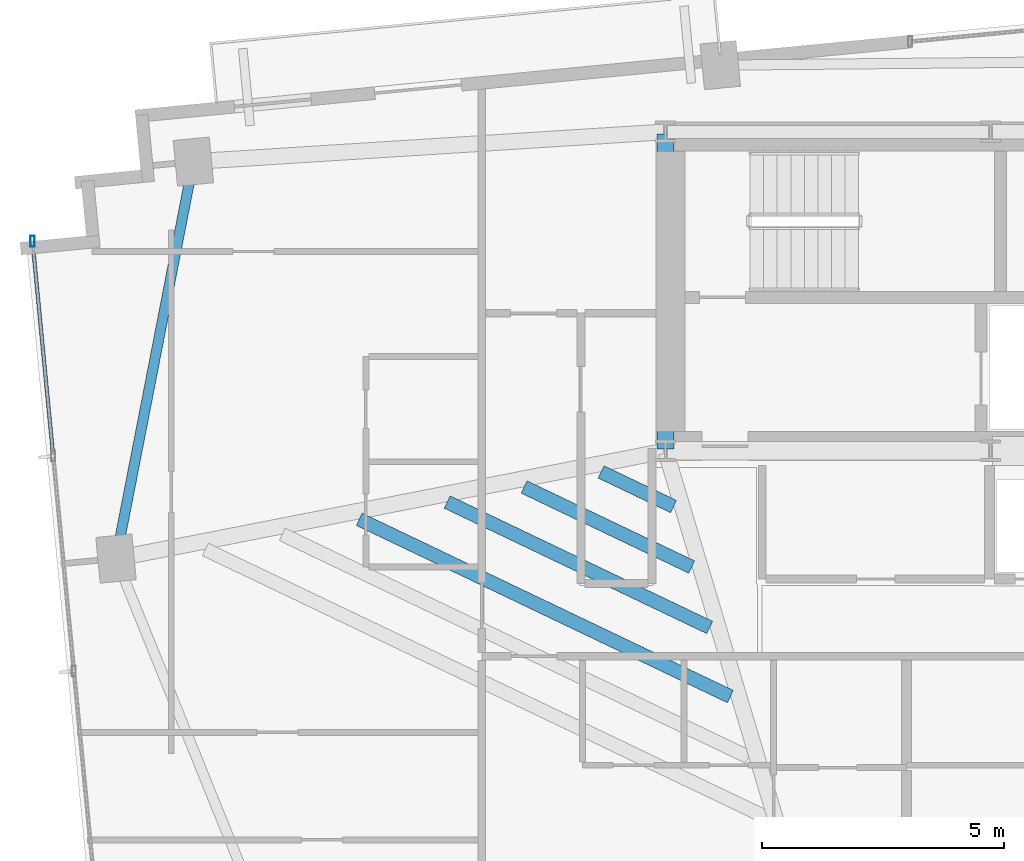
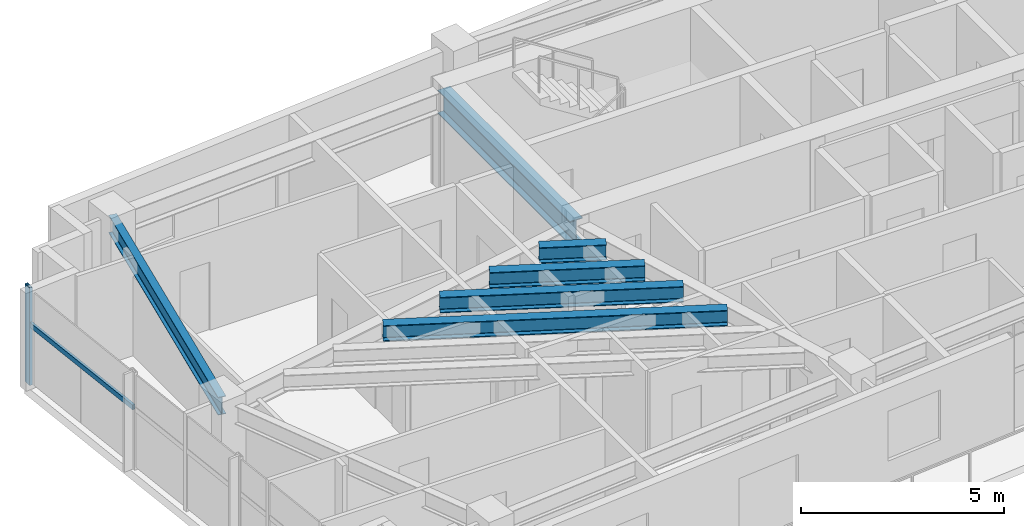
# One storey, part 3 of 18: 6 beams, 2 members, 1 element without a shape of its own.
"""IFC4 building model written with IfcOpenShell, lengths in metres."""

from ifc_helpers import new_model, si_unit, direction, frame, origin, origin_2d, place, context, subcontext, project, spatial, hollow_rectangle, i_section, extrude, source, transform, mapped, material, material_profile, profile_set, type_object, type_shapes, element, aggregate, save


model = new_model("IFC4")

# Units and contexts
model_context = context("Model", 3, precision=1e-05, world=origin(), true_north=direction((0.0, 1.0)))
body_context = subcontext(model_context, "Body", "Model", "MODEL_VIEW")
ifc_project = project(units=[si_unit("LENGTHUNIT", "METRE"), si_unit("AREAUNIT", "SQUARE_METRE"), si_unit("VOLUMEUNIT", "CUBIC_METRE"), si_unit("PLANEANGLEUNIT", "RADIAN"), si_unit("MASSUNIT", "GRAM", prefix="KILO")], contexts=[model_context])

# Site, building, storey
site_placement = place(None, origin())
site = spatial("IfcSite", under=ifc_project, at=site_placement, CompositionType="ELEMENT")
building_placement = place(site_placement, origin())
building = spatial("IfcBuilding", under=site, at=building_placement, Name="Astriad Promenade Condominiums", CompositionType="ELEMENT")
storey_placement = place(building_placement, frame((0.0, 0.0, 176.199951171875)))
storey = spatial("IfcBuildingStorey", under=building, at=storey_placement, Name="L50", CompositionType="ELEMENT", Elevation=176.199951171875)

# Beams
ifc_material_1 = material(Name="Steel ASTM A992 Grade 50", Category="steel")
ifc_material_profile_1 = material_profile(ifc_material_1, i_section(OverallWidth=0.35791015625, OverallDepth=0.706298828125, WebThickness=0.018310546875, FlangeThickness=0.0302734375, FilletRadius=0.020263671875, at=origin_2d()), Name="W27X178")
ifc_profile_set_1 = profile_set([ifc_material_profile_1], Name="Steel ASTM A992 Grade 50")
beam_type_1 = type_object("IfcBeamType", Name="STEEL FLOOR GIRDER W27X178", PredefinedType="BEAM", material=ifc_profile_set_1)
shared_shape_1 = source(origin(), body_context, "Body", "SweptSolid", [
    extrude(i_section(OverallWidth=0.35791015625, OverallDepth=0.706298828125, WebThickness=0.018310546875, FlangeThickness=0.0302734375, FilletRadius=0.020263671875, at=origin_2d()), origin(), (0.0, 0.0, 1.0), 6.52001953125),
])
type_shapes(beam_type_1, [shared_shape_1])
beam_1_placement = place(storey_placement, frame((26.39990234375, 17.43994140625, 2.5869140625), z_axis=(0.0, 1.0, 0.0), x_axis=(-1.0, 0.0, 0.0)))
element("IfcBeam", 1, at=beam_1_placement, inside=storey, type_object=beam_type_1, Name="Core Ring Beam CG-W1-L50", PredefinedType="BEAM", context=body_context, shape_type="MappedRepresentation", body=[
    mapped(shared_shape_1, transform((0.0, 0.0, 0.0), scale=1.0)),
])
ifc_material_profile_2 = material_profile(ifc_material_1, i_section(OverallWidth=0.210693359375, OverallDepth=0.53955078125, WebThickness=0.01171875, FlangeThickness=0.018798828125, FilletRadius=0.0166015625, at=origin_2d()), Name="W21X73")
ifc_profile_set_2 = profile_set([ifc_material_profile_2], Name="Steel ASTM A992 Grade 50")
beam_type_2 = type_object("IfcBeamType", Name="STEEL SPANDREL BEAM W21X73", PredefinedType="SPANDREL", material=ifc_profile_set_2)
shared_shape_2 = source(origin(), body_context, "Body", "SweptSolid", [
    extrude(i_section(OverallWidth=0.210693359375, OverallDepth=0.53955078125, WebThickness=0.01171875, FlangeThickness=0.018798828125, FilletRadius=0.0166015625, at=origin_2d()), origin(), (0.0, 0.0, 1.0), 8.28564453125),
])
type_shapes(beam_type_2, [shared_shape_2])
beam_2_placement = place(storey_placement, frame((16.62451171875, 23.3447265625, 2.670166015625), z_axis=(-0.191291582099, -0.981533254973, 0.0), x_axis=(0.981533254973, -0.191291582099, 0.0)))
element("IfcBeam", 2, at=beam_2_placement, inside=storey, type_object=beam_type_2, Name="Perimeter Spandrel Beam SP-W2-L50", PredefinedType="SPANDREL", context=body_context, shape_type="MappedRepresentation", body=[
    mapped(shared_shape_2, transform((0.0, 0.0, 0.0), scale=1.0)),
])
ifc_material_profile_3 = material_profile(ifc_material_1, i_section(OverallWidth=0.283203125, OverallDepth=0.47216796875, WebThickness=0.013671875, FlangeThickness=0.022216796875, FilletRadius=0.01513671875, at=origin_2d()), Name="W18X97")
ifc_profile_set_3 = profile_set([ifc_material_profile_3], Name="Steel ASTM A992 Grade 50")
beam_type_3 = type_object("IfcBeamType", Name="STEEL FLOOR JOIST W18X97", PredefinedType="JOIST", material=ifc_profile_set_3)
shared_shape_3 = source(origin(), body_context, "Body", "SweptSolid", [
    extrude(i_section(OverallWidth=0.283203125, OverallDepth=0.47216796875, WebThickness=0.013671875, FlangeThickness=0.022216796875, FilletRadius=0.01513671875, at=origin_2d()), origin(), (0.0, 0.0, 1.0), 8.508056640625),
])
beam_3_placement = place(storey_placement, frame((20.06298828125, 15.985595703125, 2.703857421875), z_axis=(0.902339530667, -0.431025952113, 0.0), x_axis=(0.431025952113, 0.902339530667, 0.0)))
element("IfcBeam", 3, at=beam_3_placement, inside=storey, type_object=beam_type_3, Name="Secondary Composite Floor Joist JW1-3-L50", PredefinedType="JOIST", context=body_context, shape_type="MappedRepresentation", body=[
    mapped(shared_shape_3, transform((0.0, 0.0, 0.0), scale=1.0)),
])
shared_shape_4 = source(origin(), body_context, "Body", "SweptSolid", [
    extrude(i_section(OverallWidth=0.283203125, OverallDepth=0.47216796875, WebThickness=0.013671875, FlangeThickness=0.022216796875, FilletRadius=0.01513671875, at=origin_2d()), origin(), (0.0, 0.0, 1.0), 6.01904296875),
])
beam_4_placement = place(storey_placement, frame((21.882080078125, 16.342041015625, 2.703857421875), z_axis=(0.902329759838, -0.431046406446, 0.0), x_axis=(0.431046406446, 0.902329759838, 0.0)))
element("IfcBeam", 4, at=beam_4_placement, inside=storey, type_object=beam_type_3, Name="Secondary Composite Floor Joist JW1-4-L50", PredefinedType="JOIST", context=body_context, shape_type="MappedRepresentation", body=[
    mapped(shared_shape_4, transform((0.0, 0.0, 0.0), scale=1.0)),
])
shared_shape_5 = source(origin(), body_context, "Body", "SweptSolid", [
    extrude(i_section(OverallWidth=0.283203125, OverallDepth=0.47216796875, WebThickness=0.013671875, FlangeThickness=0.022216796875, FilletRadius=0.01513671875, at=origin_2d()), origin(), (0.0, 0.0, 1.0), 3.84130859375),
])
beam_5_placement = place(storey_placement, frame((23.473388671875, 16.65380859375, 2.703857421875), z_axis=(0.902328811953, -0.431048390693, 0.0), x_axis=(0.431048390693, 0.902328811953, 0.0)))
element("IfcBeam", 5, at=beam_5_placement, inside=storey, type_object=beam_type_3, Name="Secondary Composite Floor Joist JW1-5-L50", PredefinedType="JOIST", context=body_context, shape_type="MappedRepresentation", body=[
    mapped(shared_shape_5, transform((0.0, 0.0, 0.0), scale=1.0)),
])
shared_shape_6 = source(origin(), body_context, "Body", "SweptSolid", [
    extrude(i_section(OverallWidth=0.283203125, OverallDepth=0.47216796875, WebThickness=0.013671875, FlangeThickness=0.022216796875, FilletRadius=0.01513671875, at=origin_2d()), origin(), (0.0, 0.0, 1.0), 1.6630859375),
])
type_shapes(beam_type_3, [shared_shape_3, shared_shape_4, shared_shape_5, shared_shape_6])
beam_6_placement = place(storey_placement, frame((25.065185546875, 16.965576171875, 2.703857421875), z_axis=(0.902355200591, -0.430993146077, 0.0), x_axis=(0.430993146077, 0.902355200591, 0.0)))
element("IfcBeam", 6, at=beam_6_placement, inside=storey, type_object=beam_type_3, Name="Secondary Composite Floor Joist JW1-6-L50", PredefinedType="JOIST", context=body_context, shape_type="MappedRepresentation", body=[
    mapped(shared_shape_6, transform((0.0, 0.0, 0.0), scale=1.0)),
])

# Curtain wall, members
ifc_material_2 = material(Name="Anodised aluminium Black Dark Glass Unitised", Category="aluminium")
curtain_wall_type = type_object("IfcCurtainWallType", Name="CW-B34-DARK", PredefinedType="USERDEFINED", material=ifc_material_2)
curtain_wall_placement = place(storey_placement, origin())
curtain_wall = element("IfcCurtainWall", 7, at=curtain_wall_placement, inside=storey, type_object=curtain_wall_type, Name="CW-L50-W", ObjectType="UNITISED_CURTAIN_WALL", PredefinedType="USERDEFINED")
ifc_material_3 = material(Name="Anodised aluminium 6063-T6 Black", Category="aluminium")
ifc_material_profile_4 = material_profile(ifc_material_3, hollow_rectangle(XDim=0.0849609375, YDim=0.219970703125, WallThickness=0.0048828125, at=origin_2d()), Name="ALU-MUL-85X220")
ifc_profile_set_4 = profile_set([ifc_material_profile_4], Name="Anodised aluminium 6063-T6 Black")
member_type_1 = type_object("IfcMemberType", Name="MUL-ALU-MUL-85X220", PredefinedType="MULLION", material=ifc_profile_set_4)
shared_shape_7 = source(origin(), body_context, "Body", "SweptSolid", [
    extrude(hollow_rectangle(XDim=0.0849609375, YDim=0.219970703125, WallThickness=0.0048828125, at=origin_2d()), origin(), (0.0, 0.0, 1.0), 2.93994140625),
])
type_shapes(member_type_1, [shared_shape_7])
member_1_placement = place(storey_placement, frame((13.3046875, 21.737548828125, 0.0), z_axis=(0.0, 0.0, 1.0), x_axis=(1.0, 0.0, 0.0)))
member_1 = element("IfcMember", 8, at=member_1_placement, type_object=member_type_1, Name="CW-L50-W-MUL-03", PredefinedType="MULLION", context=body_context, shape_type="MappedRepresentation", body=[
    mapped(shared_shape_7, transform((0.0, 0.0, 0.0), scale=1.0)),
])
ifc_material_profile_5 = material_profile(ifc_material_3, hollow_rectangle(XDim=0.074951171875, YDim=0.14990234375, WallThickness=0.004150390625, at=origin_2d()), Name="ALU-TRN-75X150")
ifc_profile_set_5 = profile_set([ifc_material_profile_5], Name="Anodised aluminium 6063-T6 Black")
member_type_2 = type_object("IfcMemberType", Name="TRN-ALU-TRN-75X150", PredefinedType="USERDEFINED", material=ifc_profile_set_5)
shared_shape_8 = source(origin(), body_context, "Body", "SweptSolid", [
    extrude(hollow_rectangle(XDim=0.074951171875, YDim=0.14990234375, WallThickness=0.004150390625, at=origin_2d()), origin(), (0.0, 0.0, 1.0), 4.466552734375),
])
type_shapes(member_type_2, [shared_shape_8])
member_2_placement = place(storey_placement, frame((13.732666015625, 17.29150390625, 1.82275390625), z_axis=(-0.095817598554, 0.995398908884, 0.0), x_axis=(-0.995398908884, -0.095817598554, 0.0)))
member_2 = element("IfcMember", 9, at=member_2_placement, type_object=member_type_2, Name="CW-L50-W-TRN-02-0", ObjectType="TRANSOM", PredefinedType="USERDEFINED", context=body_context, shape_type="MappedRepresentation", body=[
    mapped(shared_shape_8, transform((0.0, 0.0, 0.0), scale=1.0)),
])
aggregate(curtain_wall, [member_1, member_2])

save(model, "model.ifc")
